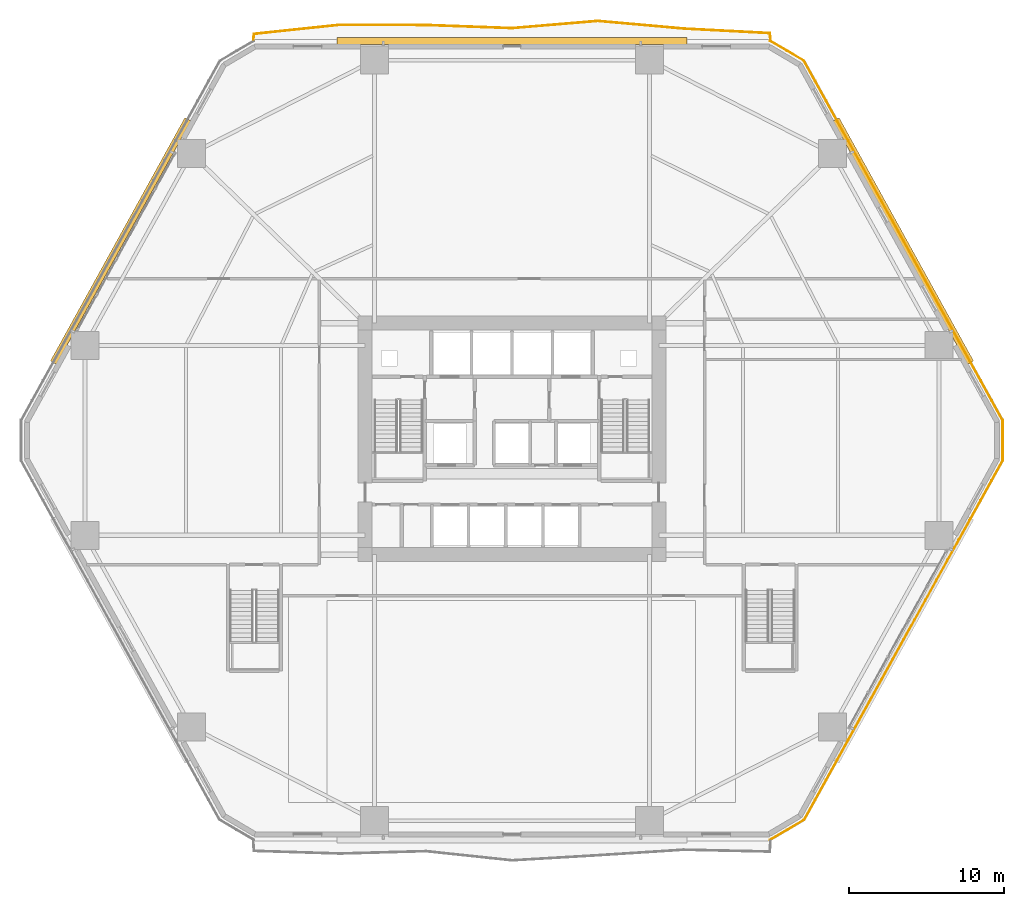
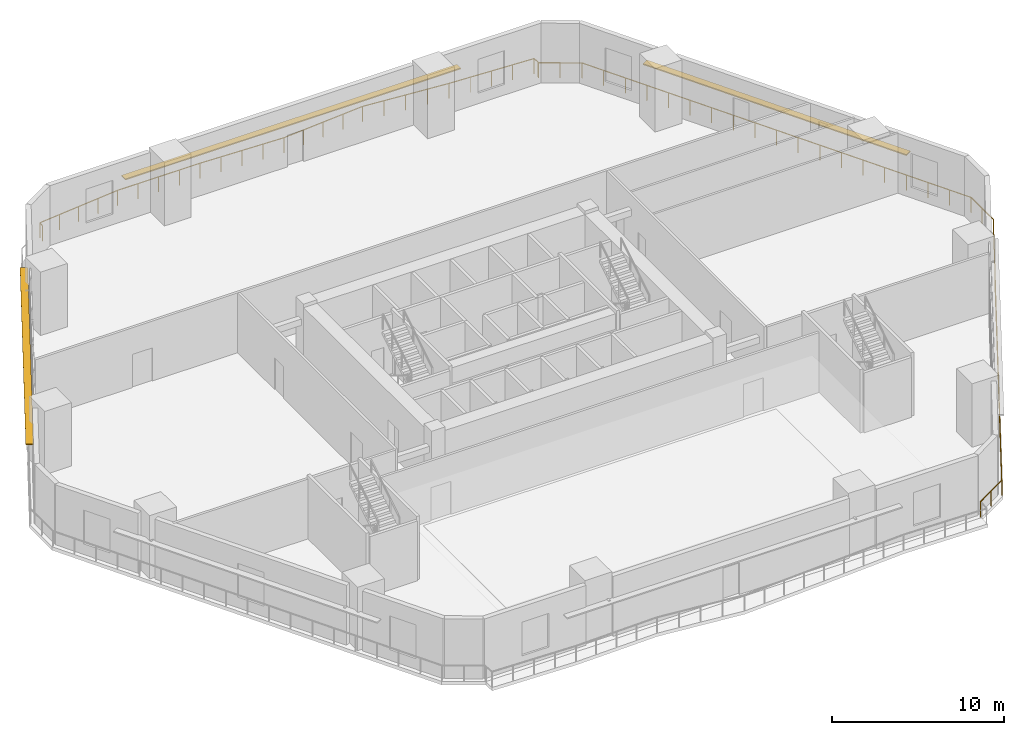
# One storey, part 21 of 21: 3 shading devices, 2 railings.
"""IFC4 building model written with IfcOpenShell, lengths in metres."""

from ifc_helpers import new_model, si_unit, direction, frame, origin, origin_2d, place, context, subcontext, project, spatial, rectangle, extrude, material, layer, layer_set, type_object, element, save


model = new_model("IFC4")

# Units and contexts
model_context = context("Model", 3, precision=1e-05, world=origin(), true_north=direction((0.0, 1.0)))
body_context = subcontext(model_context, "Body", "Model", "MODEL_VIEW")
ifc_project = project(units=[si_unit("LENGTHUNIT", "METRE"), si_unit("AREAUNIT", "SQUARE_METRE"), si_unit("VOLUMEUNIT", "CUBIC_METRE"), si_unit("PLANEANGLEUNIT", "RADIAN"), si_unit("MASSUNIT", "GRAM", prefix="KILO")], contexts=[model_context])

# Site, building, storey
site_placement = place(None, origin())
site = spatial("IfcSite", under=ifc_project, at=site_placement, CompositionType="ELEMENT")
building_placement = place(site_placement, origin())
building = spatial("IfcBuilding", under=site, at=building_placement, Name="Cinnabar Lancet Tower", CompositionType="ELEMENT")
storey_placement = place(building_placement, frame((0.0, 0.0, 6.0)))
storey = spatial("IfcBuildingStorey", under=building, at=storey_placement, Name="L01", CompositionType="ELEMENT", Elevation=6.0)

# Railings
ifc_material_1 = material(Name="Laminated safety glass and bronze stainless steel balustrade", Category="steel")
railing_type = type_object("IfcRailingType", Name="ENV-RLG-BAL-1100", PredefinedType="BALUSTRADE", material=ifc_material_1)
railing_1_placement = place(storey_placement, frame((49.02197265625, 0.080078125, 0.0)))
element("IfcRailing", 1, at=railing_1_placement, inside=storey, type_object=railing_type, Name="L01 East Perimeter Overhang Edge Balustrade", PredefinedType="BALUSTRADE", context=body_context, shape_type="SweptSolid", body=[
    extrude(rectangle(XDim=0.048095703125, YDim=0.048095703125, at=origin_2d()), frame((0.0, 0.0, 1.076171875), z_axis=(0.86125159245, 0.508178801705, 0.0), x_axis=(-0.508178801705, 0.86125159245, 0.0)), (0.0, 0.0, 1.0), 2.54052734375),
    extrude(rectangle(XDim=0.048095703125, YDim=0.048095703125, at=origin_2d()), frame((2.18798828125, 1.291015625, 1.076171875), z_axis=(0.483655391037, 0.875258511938, 0.0), x_axis=(-0.875258511938, 0.483655391037, 0.0)), (0.0, 0.0, 1.0), 26.434326171875),
    extrude(rectangle(XDim=0.048095703125, YDim=0.048095703125, at=origin_2d()), frame((14.97314453125, 24.427978515625, 1.076171875), z_axis=(0.0, 1.0, 0.0), x_axis=(-1.0, 0.0, 0.0)), (0.0, 0.0, 1.0), 2.583984375),
    extrude(rectangle(XDim=0.048095703125, YDim=0.048095703125, at=origin_2d()), frame((14.97314453125, 27.011962890625, 1.076171875), z_axis=(-0.483655391037, 0.875258511938, 0.0), x_axis=(-0.875258511938, -0.483655391037, 0.0)), (0.0, 0.0, 1.0), 26.434326171875),
    extrude(rectangle(XDim=0.048095703125, YDim=0.048095703125, at=origin_2d()), frame((2.18798828125, 50.14892578125, 1.076171875), z_axis=(-0.86125159245, 0.508178801705, 0.0), x_axis=(-0.508178801705, -0.86125159245, 0.0)), (0.0, 0.0, 1.0), 2.54052734375),
    extrude(rectangle(XDim=0.0419921875, YDim=0.0419921875, at=origin_2d()), origin(), (0.0, 0.0, 1.0), 1.052001953125),
    extrude(rectangle(XDim=0.0419921875, YDim=0.0419921875, at=origin_2d()), frame((1.093994140625, 0.6455078125, 0.0)), (0.0, 0.0, 1.0), 1.052001953125),
    extrude(rectangle(XDim=0.0419921875, YDim=0.0419921875, at=origin_2d()), frame((2.18798828125, 1.291015625, 0.0)), (0.0, 0.0, 1.0), 1.052001953125),
    extrude(rectangle(XDim=0.0419921875, YDim=0.0419921875, at=origin_2d()), frame((2.898193359375, 2.576416015625, 0.0)), (0.0, 0.0, 1.0), 1.052001953125),
    extrude(rectangle(XDim=0.0419921875, YDim=0.0419921875, at=origin_2d()), frame((3.608642578125, 3.86181640625, 0.0)), (0.0, 0.0, 1.0), 1.052001953125),
    extrude(rectangle(XDim=0.0419921875, YDim=0.0419921875, at=origin_2d()), frame((4.31884765625, 5.147216796875, 0.0)), (0.0, 0.0, 1.0), 1.052001953125),
    extrude(rectangle(XDim=0.0419921875, YDim=0.0419921875, at=origin_2d()), frame((5.029052734375, 6.4326171875, 0.0)), (0.0, 0.0, 1.0), 1.052001953125),
    extrude(rectangle(XDim=0.0419921875, YDim=0.0419921875, at=origin_2d()), frame((5.739501953125, 7.718017578125, 0.0)), (0.0, 0.0, 1.0), 1.052001953125),
    extrude(rectangle(XDim=0.0419921875, YDim=0.0419921875, at=origin_2d()), frame((6.44970703125, 9.00341796875, 0.0)), (0.0, 0.0, 1.0), 1.052001953125),
    extrude(rectangle(XDim=0.0419921875, YDim=0.0419921875, at=origin_2d()), frame((7.159912109375, 10.288818359375, 0.0)), (0.0, 0.0, 1.0), 1.052001953125),
    extrude(rectangle(XDim=0.0419921875, YDim=0.0419921875, at=origin_2d()), frame((7.870361328125, 11.57421875, 0.0)), (0.0, 0.0, 1.0), 1.052001953125),
    extrude(rectangle(XDim=0.0419921875, YDim=0.0419921875, at=origin_2d()), frame((8.58056640625, 12.859375, 0.0)), (0.0, 0.0, 1.0), 1.052001953125),
    extrude(rectangle(XDim=0.0419921875, YDim=0.0419921875, at=origin_2d()), frame((9.290771484375, 14.144775390625, 0.0)), (0.0, 0.0, 1.0), 1.052001953125),
    extrude(rectangle(XDim=0.0419921875, YDim=0.0419921875, at=origin_2d()), frame((10.001220703125, 15.43017578125, 0.0)), (0.0, 0.0, 1.0), 1.052001953125),
    extrude(rectangle(XDim=0.0419921875, YDim=0.0419921875, at=origin_2d()), frame((10.71142578125, 16.715576171875, 0.0)), (0.0, 0.0, 1.0), 1.052001953125),
    extrude(rectangle(XDim=0.0419921875, YDim=0.0419921875, at=origin_2d()), frame((11.421630859375, 18.0009765625, 0.0)), (0.0, 0.0, 1.0), 1.052001953125),
    extrude(rectangle(XDim=0.0419921875, YDim=0.0419921875, at=origin_2d()), frame((12.132080078125, 19.286376953125, 0.0)), (0.0, 0.0, 1.0), 1.052001953125),
    extrude(rectangle(XDim=0.0419921875, YDim=0.0419921875, at=origin_2d()), frame((12.84228515625, 20.57177734375, 0.0)), (0.0, 0.0, 1.0), 1.052001953125),
    extrude(rectangle(XDim=0.0419921875, YDim=0.0419921875, at=origin_2d()), frame((13.552490234375, 21.857177734375, 0.0)), (0.0, 0.0, 1.0), 1.052001953125),
    extrude(rectangle(XDim=0.0419921875, YDim=0.0419921875, at=origin_2d()), frame((14.262939453125, 23.142578125, 0.0)), (0.0, 0.0, 1.0), 1.052001953125),
    extrude(rectangle(XDim=0.0419921875, YDim=0.0419921875, at=origin_2d()), frame((14.97314453125, 24.427978515625, 0.0)), (0.0, 0.0, 1.0), 1.052001953125),
    extrude(rectangle(XDim=0.0419921875, YDim=0.0419921875, at=origin_2d()), frame((14.97314453125, 25.719970703125, 0.0)), (0.0, 0.0, 1.0), 1.052001953125),
    extrude(rectangle(XDim=0.0419921875, YDim=0.0419921875, at=origin_2d()), frame((14.97314453125, 27.011962890625, 0.0)), (0.0, 0.0, 1.0), 1.052001953125),
    extrude(rectangle(XDim=0.0419921875, YDim=0.0419921875, at=origin_2d()), frame((14.262939453125, 28.29736328125, 0.0)), (0.0, 0.0, 1.0), 1.052001953125),
    extrude(rectangle(XDim=0.0419921875, YDim=0.0419921875, at=origin_2d()), frame((13.552490234375, 29.582763671875, 0.0)), (0.0, 0.0, 1.0), 1.052001953125),
    extrude(rectangle(XDim=0.0419921875, YDim=0.0419921875, at=origin_2d()), frame((12.84228515625, 30.8681640625, 0.0)), (0.0, 0.0, 1.0), 1.052001953125),
    extrude(rectangle(XDim=0.0419921875, YDim=0.0419921875, at=origin_2d()), frame((12.132080078125, 32.153564453125, 0.0)), (0.0, 0.0, 1.0), 1.052001953125),
    extrude(rectangle(XDim=0.0419921875, YDim=0.0419921875, at=origin_2d()), frame((11.421630859375, 33.43896484375, 0.0)), (0.0, 0.0, 1.0), 1.052001953125),
    extrude(rectangle(XDim=0.0419921875, YDim=0.0419921875, at=origin_2d()), frame((10.71142578125, 34.724365234375, 0.0)), (0.0, 0.0, 1.0), 1.052001953125),
    extrude(rectangle(XDim=0.0419921875, YDim=0.0419921875, at=origin_2d()), frame((10.001220703125, 36.009765625, 0.0)), (0.0, 0.0, 1.0), 1.052001953125),
    extrude(rectangle(XDim=0.0419921875, YDim=0.0419921875, at=origin_2d()), frame((9.290771484375, 37.295166015625, 0.0)), (0.0, 0.0, 1.0), 1.052001953125),
    extrude(rectangle(XDim=0.0419921875, YDim=0.0419921875, at=origin_2d()), frame((8.58056640625, 38.58056640625, 0.0)), (0.0, 0.0, 1.0), 1.052001953125),
    extrude(rectangle(XDim=0.0419921875, YDim=0.0419921875, at=origin_2d()), frame((7.870361328125, 39.86572265625, 0.0)), (0.0, 0.0, 1.0), 1.052001953125),
    extrude(rectangle(XDim=0.0419921875, YDim=0.0419921875, at=origin_2d()), frame((7.159912109375, 41.151123046875, 0.0)), (0.0, 0.0, 1.0), 1.052001953125),
    extrude(rectangle(XDim=0.0419921875, YDim=0.0419921875, at=origin_2d()), frame((6.44970703125, 42.4365234375, 0.0)), (0.0, 0.0, 1.0), 1.052001953125),
    extrude(rectangle(XDim=0.0419921875, YDim=0.0419921875, at=origin_2d()), frame((5.739501953125, 43.721923828125, 0.0)), (0.0, 0.0, 1.0), 1.052001953125),
    extrude(rectangle(XDim=0.0419921875, YDim=0.0419921875, at=origin_2d()), frame((5.029052734375, 45.00732421875, 0.0)), (0.0, 0.0, 1.0), 1.052001953125),
    extrude(rectangle(XDim=0.0419921875, YDim=0.0419921875, at=origin_2d()), frame((4.31884765625, 46.292724609375, 0.0)), (0.0, 0.0, 1.0), 1.052001953125),
    extrude(rectangle(XDim=0.0419921875, YDim=0.0419921875, at=origin_2d()), frame((3.608642578125, 47.578125, 0.0)), (0.0, 0.0, 1.0), 1.052001953125),
    extrude(rectangle(XDim=0.0419921875, YDim=0.0419921875, at=origin_2d()), frame((2.898193359375, 48.863525390625, 0.0)), (0.0, 0.0, 1.0), 1.052001953125),
    extrude(rectangle(XDim=0.0419921875, YDim=0.0419921875, at=origin_2d()), frame((2.18798828125, 50.14892578125, 0.0)), (0.0, 0.0, 1.0), 1.052001953125),
    extrude(rectangle(XDim=0.0419921875, YDim=0.0419921875, at=origin_2d()), frame((1.093994140625, 50.79443359375, 0.0)), (0.0, 0.0, 1.0), 1.052001953125),
    extrude(rectangle(XDim=0.0419921875, YDim=0.0419921875, at=origin_2d()), frame((0.0, 51.43994140625, 0.0)), (0.0, 0.0, 1.0), 1.052001953125),
])
railing_2_placement = place(storey_placement, frame((49.0439453125, 51.60009765625, 0.0)))
element("IfcRailing", 2, at=railing_2_placement, inside=storey, type_object=railing_type, Name="L01 Face 4 Wave Balcony Balustrade", PredefinedType="BALUSTRADE", context=body_context, shape_type="SweptSolid", body=[
    extrude(rectangle(XDim=0.048095703125, YDim=0.048095703125, at=origin_2d()), frame((0.0, 0.0, 1.076171875), z_axis=(-0.089572971766, 0.995980262219, 0.0), x_axis=(-0.995980262219, -0.089572971766, 0.0)), (0.0, 0.0, 1.0), 0.41162109375),
    extrude(rectangle(XDim=0.048095703125, YDim=0.048095703125, at=origin_2d()), frame((-0.036865234375, 0.409912109375, 1.076171875), z_axis=(-0.998622203866, 0.052475650988, 0.0), x_axis=(-0.052475650988, -0.998622203866, 0.0)), (0.0, 0.0, 1.0), 5.545654296875),
    extrude(rectangle(XDim=0.048095703125, YDim=0.048095703125, at=origin_2d()), frame((-5.574951171875, 0.700927734375, 1.076171875), z_axis=(-0.996026787297, 0.089054135144, 0.0), x_axis=(-0.089054135144, -0.996026787297, 0.0)), (0.0, 0.0, 1.0), 5.556884765625),
    extrude(rectangle(XDim=0.048095703125, YDim=0.048095703125, at=origin_2d()), frame((-11.10986328125, 1.19580078125, 1.076171875), z_axis=(-0.996490971737, -0.083700318078, 0.0), x_axis=(0.083700318078, -0.996490971737, 0.0)), (0.0, 0.0, 1.0), 5.5537109375),
    extrude(rectangle(XDim=0.048095703125, YDim=0.048095703125, at=origin_2d()), frame((-16.64404296875, 0.73095703125, 1.076171875), z_axis=(-0.999335094969, 0.036460498678, 0.0), x_axis=(-0.036460498678, -0.999335094969, 0.0)), (0.0, 0.0, 1.0), 5.53759765625),
    extrude(rectangle(XDim=0.048095703125, YDim=0.048095703125, at=origin_2d()), frame((-22.177978515625, 0.932861328125, 1.076171875), z_axis=(-0.99999576246, 0.002911195815, 0.0), x_axis=(-0.002911195815, -0.99999576246, 0.0)), (0.0, 0.0, 1.0), 5.534912109375),
    extrude(rectangle(XDim=0.048095703125, YDim=0.048095703125, at=origin_2d()), frame((-27.712890625, 0.948974609375, 1.076171875), z_axis=(-0.994443050958, -0.10527591558, 0.0), x_axis=(0.10527591558, -0.994443050958, 0.0)), (0.0, 0.0, 1.0), 5.568115234375),
    extrude(rectangle(XDim=0.048095703125, YDim=0.048095703125, at=origin_2d()), frame((-33.25, 0.36279296875, 1.076171875), z_axis=(-0.103744027371, -0.994604030147, 0.0), x_axis=(0.994604030147, -0.103744027371, 0.0)), (0.0, 0.0, 1.0), 0.36474609375),
    extrude(rectangle(XDim=0.0419921875, YDim=0.0419921875, at=origin_2d()), origin(), (0.0, 0.0, 1.0), 1.052001953125),
    extrude(rectangle(XDim=0.0419921875, YDim=0.0419921875, at=origin_2d()), frame((-0.036865234375, 0.409912109375, 0.0)), (0.0, 0.0, 1.0), 1.052001953125),
    extrude(rectangle(XDim=0.0419921875, YDim=0.0419921875, at=origin_2d()), frame((-1.42138671875, 0.482666015625, 0.0)), (0.0, 0.0, 1.0), 1.052001953125),
    extrude(rectangle(XDim=0.0419921875, YDim=0.0419921875, at=origin_2d()), frame((-2.805908203125, 0.555419921875, 0.0)), (0.0, 0.0, 1.0), 1.052001953125),
    extrude(rectangle(XDim=0.0419921875, YDim=0.0419921875, at=origin_2d()), frame((-4.1904296875, 0.628173828125, 0.0)), (0.0, 0.0, 1.0), 1.052001953125),
    extrude(rectangle(XDim=0.0419921875, YDim=0.0419921875, at=origin_2d()), frame((-5.574951171875, 0.700927734375, 0.0)), (0.0, 0.0, 1.0), 1.052001953125),
    extrude(rectangle(XDim=0.0419921875, YDim=0.0419921875, at=origin_2d()), frame((-6.958740234375, 0.82470703125, 0.0)), (0.0, 0.0, 1.0), 1.052001953125),
    extrude(rectangle(XDim=0.0419921875, YDim=0.0419921875, at=origin_2d()), frame((-8.34228515625, 0.9482421875, 0.0)), (0.0, 0.0, 1.0), 1.052001953125),
    extrude(rectangle(XDim=0.0419921875, YDim=0.0419921875, at=origin_2d()), frame((-9.72607421875, 1.072021484375, 0.0)), (0.0, 0.0, 1.0), 1.052001953125),
    extrude(rectangle(XDim=0.0419921875, YDim=0.0419921875, at=origin_2d()), frame((-11.10986328125, 1.19580078125, 0.0)), (0.0, 0.0, 1.0), 1.052001953125),
    extrude(rectangle(XDim=0.0419921875, YDim=0.0419921875, at=origin_2d()), frame((-12.493408203125, 1.07958984375, 0.0)), (0.0, 0.0, 1.0), 1.052001953125),
    extrude(rectangle(XDim=0.0419921875, YDim=0.0419921875, at=origin_2d()), frame((-13.876953125, 0.96337890625, 0.0)), (0.0, 0.0, 1.0), 1.052001953125),
    extrude(rectangle(XDim=0.0419921875, YDim=0.0419921875, at=origin_2d()), frame((-15.260498046875, 0.84716796875, 0.0)), (0.0, 0.0, 1.0), 1.052001953125),
    extrude(rectangle(XDim=0.0419921875, YDim=0.0419921875, at=origin_2d()), frame((-16.64404296875, 0.73095703125, 0.0)), (0.0, 0.0, 1.0), 1.052001953125),
    extrude(rectangle(XDim=0.0419921875, YDim=0.0419921875, at=origin_2d()), frame((-18.027587890625, 0.781494140625, 0.0)), (0.0, 0.0, 1.0), 1.052001953125),
    extrude(rectangle(XDim=0.0419921875, YDim=0.0419921875, at=origin_2d()), frame((-19.4111328125, 0.83203125, 0.0)), (0.0, 0.0, 1.0), 1.052001953125),
    extrude(rectangle(XDim=0.0419921875, YDim=0.0419921875, at=origin_2d()), frame((-20.79443359375, 0.88232421875, 0.0)), (0.0, 0.0, 1.0), 1.052001953125),
    extrude(rectangle(XDim=0.0419921875, YDim=0.0419921875, at=origin_2d()), frame((-22.177978515625, 0.932861328125, 0.0)), (0.0, 0.0, 1.0), 1.052001953125),
    extrude(rectangle(XDim=0.0419921875, YDim=0.0419921875, at=origin_2d()), frame((-23.561767578125, 0.93701171875, 0.0)), (0.0, 0.0, 1.0), 1.052001953125),
    extrude(rectangle(XDim=0.0419921875, YDim=0.0419921875, at=origin_2d()), frame((-24.9453125, 0.94091796875, 0.0)), (0.0, 0.0, 1.0), 1.052001953125),
    extrude(rectangle(XDim=0.0419921875, YDim=0.0419921875, at=origin_2d()), frame((-26.3291015625, 0.94482421875, 0.0)), (0.0, 0.0, 1.0), 1.052001953125),
    extrude(rectangle(XDim=0.0419921875, YDim=0.0419921875, at=origin_2d()), frame((-27.712890625, 0.948974609375, 0.0)), (0.0, 0.0, 1.0), 1.052001953125),
    extrude(rectangle(XDim=0.0419921875, YDim=0.0419921875, at=origin_2d()), frame((-29.09716796875, 0.802490234375, 0.0)), (0.0, 0.0, 1.0), 1.052001953125),
    extrude(rectangle(XDim=0.0419921875, YDim=0.0419921875, at=origin_2d()), frame((-30.4814453125, 0.65576171875, 0.0)), (0.0, 0.0, 1.0), 1.052001953125),
    extrude(rectangle(XDim=0.0419921875, YDim=0.0419921875, at=origin_2d()), frame((-31.86572265625, 0.50927734375, 0.0)), (0.0, 0.0, 1.0), 1.052001953125),
    extrude(rectangle(XDim=0.0419921875, YDim=0.0419921875, at=origin_2d()), frame((-33.25, 0.36279296875, 0.0)), (0.0, 0.0, 1.0), 1.052001953125),
    extrude(rectangle(XDim=0.0419921875, YDim=0.0419921875, at=origin_2d()), frame((-33.287841796875, 0.0, 0.0)), (0.0, 0.0, 1.0), 1.052001953125),
])

# Shading devices
ifc_material_2 = material(Name="Pale limestone architectural aluminium sunshade", Category="masonry")
ifc_layer = layer(ifc_material_2, 0.080078125)
ifc_layer_set = layer_set([ifc_layer], Name="Pale limestone architectural aluminium sunshade")
shading_device_type = type_object("IfcShadingDeviceType", Name="ENV-SHD-LVR-450", PredefinedType="JALOUSIE", material=ifc_layer_set)
shading_device_1_placement = place(storey_placement, frame((57.591064453125, 38.638916015625, 2.639892578125), z_axis=(0.0, 0.0, 1.0), x_axis=(-0.483679606683, 0.87524513028, 0.0)))
element("IfcShadingDevice", 3, at=shading_device_1_placement, inside=storey, type_object=shading_device_type, Name="L01 Face 3 Horizontal Sunshade Canopy", PredefinedType="JALOUSIE", context=body_context, shape_type="SweptSolid", body=[
    extrude(rectangle(XDim=17.904052734375, YDim=0.449951171875, at=origin_2d()), origin(), (0.0, 0.0, 1.0), 0.080078125),
])
shading_device_2_placement = place(storey_placement, frame((32.39990234375, 51.5, 2.639892578125), z_axis=(0.0, 0.0, 1.0), x_axis=(-1.0, 0.0, 0.0)))
element("IfcShadingDevice", 4, at=shading_device_2_placement, inside=storey, type_object=shading_device_type, Name="L01 Face 4 Horizontal Sunshade Canopy", PredefinedType="JALOUSIE", context=body_context, shape_type="SweptSolid", body=[
    extrude(rectangle(XDim=22.531982421875, YDim=0.449951171875, at=origin_2d()), origin(), (0.0, 0.0, 1.0), 0.080078125),
])
shading_device_3_placement = place(storey_placement, frame((7.208984375, 38.638916015625, 2.639892578125), z_axis=(0.0, 0.0, 1.0), x_axis=(-0.483679606683, -0.87524513028, 0.0)))
element("IfcShadingDevice", 5, at=shading_device_3_placement, inside=storey, type_object=shading_device_type, Name="L01 Face 5 Horizontal Sunshade Canopy", PredefinedType="JALOUSIE", context=body_context, shape_type="SweptSolid", body=[
    extrude(rectangle(XDim=17.904052734375, YDim=0.449951171875, at=origin_2d()), origin(), (0.0, 0.0, 1.0), 0.080078125),
])

save(model, "model.ifc")
